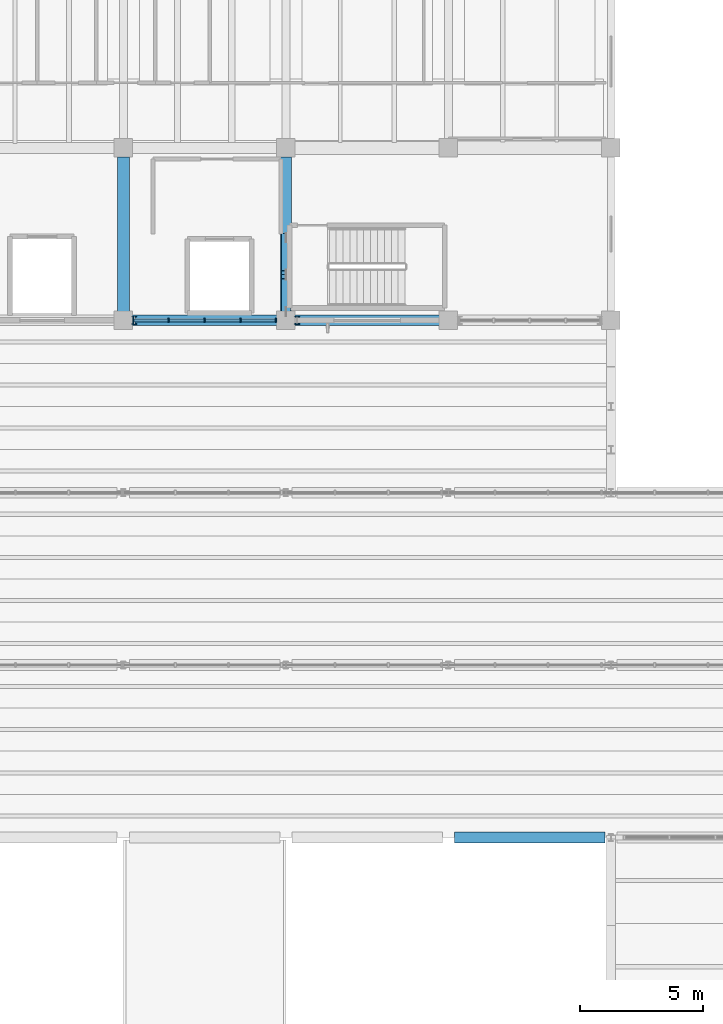
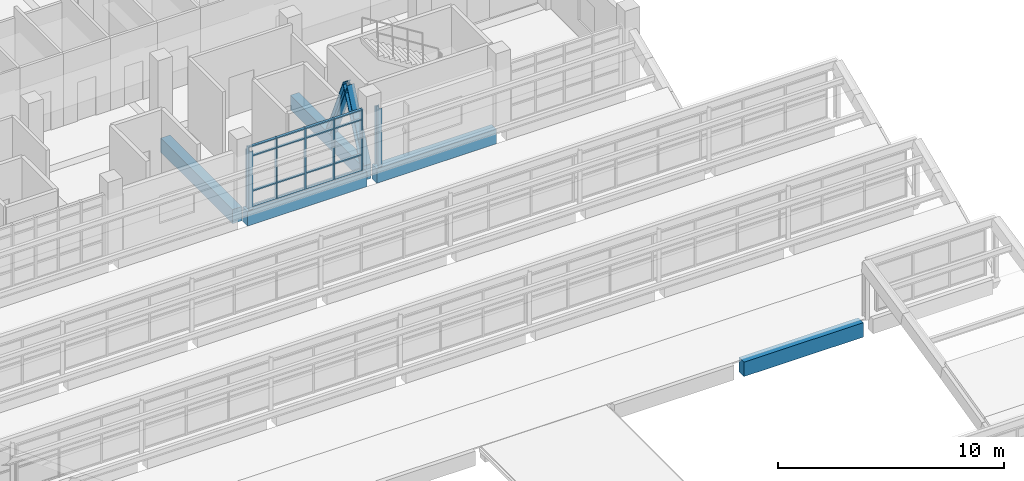
# One storey, part 56 of 92: 25 members, 5 beams, 1 element without a shape of its own.
"""IFC4 building model written with IfcOpenShell, lengths in metres."""

import ifcopenshell
import ifcopenshell.guid

model = None  # the IFC model being written
_history = None  # IfcOwnerHistory: only IFC2X3 demands one
_inside = {}  # id of a spatial element -> (the spatial element, [elements in it])
_under = {}  # id of a project, library or spatial element -> (it, [spatial elements below it])
_declared = {}  # id of a project -> (the project, [libraries it declares])
_typed = {}  # id of a type object -> (the type object, [elements of that type])
_made_of = {}  # id of a material, layer set ... -> (it, [elements and type objects made of it])


def new_model(schema):
    """Start an empty IFC model of exactly this schema.

    Asked for "IFC4X3", IfcOpenShell would pick the latest addendum, in which some entities
    have other attributes; the version numbers below select the first issue.
    IFC2X3 requires an IfcOwnerHistory on every rooted entity: one is made here for all.
    """
    global model, _history
    if schema == "IFC4X3":
        model = ifcopenshell.file(schema_version=(4, 3, 0, 0))
    else:
        model = ifcopenshell.file(schema=schema)
    _inside.clear()
    _under.clear()
    _declared.clear()
    _typed.clear()
    _made_of.clear()
    _history = None
    if model.schema == "IFC2X3":
        org = make("IfcOrganization", Name="unknown")
        user = make(
            "IfcPersonAndOrganization",
            ThePerson=make("IfcPerson", FamilyName="unknown"),
            TheOrganization=org,
        )
        app = make(
            "IfcApplication",
            ApplicationDeveloper=org,
            Version="unknown",
            ApplicationFullName="unknown",
            ApplicationIdentifier="unknown",
        )
        _history = make(
            "IfcOwnerHistory",
            OwningUser=user,
            OwningApplication=app,
            ChangeAction="ADDED",
            CreationDate=0,
        )
    return model


def make(cls, **values):
    """One entity of the class cls with the attributes given. An attribute that is None is left unset."""
    return model.create_entity(
        cls, **{name: value for name, value in values.items() if value is not None}
    )


def rooted(cls, **values):
    """An entity with a GlobalId (a new one), such as an element, a storey or a relation."""
    return make(cls, GlobalId=ifcopenshell.guid.new(), OwnerHistory=_history, **values)


def si_unit(unit_type, name, prefix=None):
    """IfcSIUnit, for example si_unit("LENGTHUNIT", "METRE", prefix="MILLI")."""
    return make("IfcSIUnit", UnitType=unit_type, Prefix=prefix, Name=name)


def assignment(units):
    """IfcUnitAssignment: the units of a project."""
    return None if units is None else make("IfcUnitAssignment", Units=units)


def point(xyz):
    """IfcCartesianPoint."""
    return None if xyz is None else make("IfcCartesianPoint", Coordinates=xyz)


def direction(xyz):
    """IfcDirection."""
    return None if xyz is None else make("IfcDirection", DirectionRatios=xyz)


def frame(location, z_axis=None, x_axis=None):
    """IfcAxis2Placement3D, a coordinate frame: its origin and axes. An axis left out is left unset."""
    return make(
        "IfcAxis2Placement3D",
        Location=point(location),
        Axis=direction(z_axis),
        RefDirection=direction(x_axis),
    )


def frame_2d(location, x_axis=None):
    """IfcAxis2Placement2D, a coordinate frame in the plane: its origin and x axis."""
    return make(
        "IfcAxis2Placement2D", Location=point(location), RefDirection=direction(x_axis)
    )


def origin():
    """The frame at (0, 0, 0) with its axes left unset."""
    return frame((0.0, 0.0, 0.0))


def origin_2d():
    """The frame at (0, 0) in the plane with its x axis left unset."""
    return frame_2d((0.0, 0.0))


def place(relative_to, where):
    """IfcLocalPlacement: puts the frame where relative to a parent placement (None: the world)."""
    return make(
        "IfcLocalPlacement", PlacementRelTo=relative_to, RelativePlacement=where
    )


def context(
    kind, dimensions, precision=None, world=None, true_north=None, identifier=None
):
    """IfcGeometricRepresentationContext, for example the 3D "Model" context."""
    return make(
        "IfcGeometricRepresentationContext",
        ContextIdentifier=identifier,
        ContextType=kind,
        CoordinateSpaceDimension=dimensions,
        Precision=precision,
        WorldCoordinateSystem=world,
        TrueNorth=true_north,
    )


def subcontext(parent, identifier, kind, view, scale=None):
    """IfcGeometricRepresentationSubContext, for example "Body" below "Model"."""
    return make(
        "IfcGeometricRepresentationSubContext",
        ContextIdentifier=identifier,
        ContextType=kind,
        ParentContext=parent,
        TargetScale=scale,
        TargetView=view,
    )


def project(units=None, contexts=None):
    """IfcProject with its units and contexts."""
    return rooted(
        "IfcProject",
        Name="project",
        RepresentationContexts=contexts,
        UnitsInContext=assignment(units),
    )


def spatial(cls, under=None, at=None, **own):
    """A site, building, storey or space (cls), placed at a placement, below another one or the project."""
    s = rooted(cls, ObjectPlacement=at, **own)
    if under is not None:
        _under.setdefault(under.id(), (under, []))[1].append(s)
    return s


def profile(cls, at=None, kind="AREA", **sizes):
    """A parametric profile (cls). Its sizes go by their IFC names, for example OverallWidth=200.0."""
    return make(cls, ProfileType=kind, Position=at, **sizes)


def rectangle(**sizes):
    """IfcRectangleProfileDef."""
    return profile("IfcRectangleProfileDef", **sizes)


def i_section(**sizes):
    """IfcIShapeProfileDef."""
    return profile("IfcIShapeProfileDef", **sizes)


def extrude(swept, where, along, depth):
    """IfcExtrudedAreaSolid: the profile swept, set in the frame where, extruded along a direction by depth."""
    return make(
        "IfcExtrudedAreaSolid",
        SweptArea=swept,
        Position=where,
        ExtrudedDirection=direction(along),
        Depth=depth,
    )


def shape(context_of_items, identifier, shape_type, items):
    """IfcShapeRepresentation: the items that make up one representation, for example the "Body"."""
    return make(
        "IfcShapeRepresentation",
        ContextOfItems=context_of_items,
        RepresentationIdentifier=identifier,
        RepresentationType=shape_type,
        Items=items,
    )


def material(Name=None, Category=None):
    """IfcMaterial."""
    return make("IfcMaterial", Name=Name, Category=Category)


def material_profile(
    of_material, cross_section, Name=None, Category=None, Priority=None
):
    """IfcMaterialProfile: a cross section and its material."""
    return make(
        "IfcMaterialProfile",
        Name=Name,
        Material=of_material,
        Profile=cross_section,
        Priority=Priority,
        Category=Category,
    )


def profile_set(profiles, Name=None, composite=None):
    """IfcMaterialProfileSet."""
    return make(
        "IfcMaterialProfileSet",
        Name=Name,
        MaterialProfiles=profiles,
        CompositeProfile=composite,
    )


def made_of(thing, what):
    """Note that an element or type object is made of a material, layer set ...; save() writes the relation."""
    if what is not None:
        _made_of.setdefault(what.id(), (what, []))[1].append(thing)
    return thing


def type_object(cls, material=None, **own):
    """A type object (cls), such as IfcWallType, which elements share."""
    return made_of(rooted(cls, **own), material)


def element(
    cls,
    number,
    at=None,
    inside=None,
    cuts=None,
    type_object=None,
    material=None,
    context=None,
    identifier="Body",
    shape_type=None,
    held_by="IfcProductDefinitionShape",
    body=None,
    shapes=None,
    **own,
):
    """One element of the class cls, such as IfcWall. Its Tag is "e" and its number.

    at: its placement. inside: the storey or other place that contains it. cuts: it is an
    opening in that element (IfcRelVoidsElement). A single representation is given by context,
    identifier, shape_type and body (its items); several are given by shapes. held_by: the class
    of the entity that holds the representations. save() writes the other relations.
    """
    e = rooted(cls, Tag="e%d" % number, ObjectPlacement=at, **own)
    if body is not None:
        shapes = [shape(context, identifier, shape_type, body)]
    if shapes is not None:
        e.Representation = make(held_by, Representations=shapes)
    if inside is not None:
        _inside.setdefault(inside.id(), (inside, []))[1].append(e)
    if cuts is not None:
        rooted(
            "IfcRelVoidsElement", RelatingBuildingElement=cuts, RelatedOpeningElement=e
        )
    if type_object is not None:
        _typed.setdefault(type_object.id(), (type_object, []))[1].append(e)
    return made_of(e, material)


def aggregate(whole, parts):
    """IfcRelAggregates: a whole, such as a stair, and the parts it consists of."""
    return rooted("IfcRelAggregates", RelatingObject=whole, RelatedObjects=parts)


def save(model, path):
    """Write the relations noted so far, then the file.

    IfcRelAggregates (storeys below a building ...), IfcRelContainedInSpatialStructure (elements
    in a storey), IfcRelDefinesByType, IfcRelAssociatesMaterial and IfcRelDeclares: one each for
    every whole, place, type object, material and project.
    """
    for whole, parts in _under.values():
        aggregate(whole, parts)
    for where, things in _inside.values():
        rooted(
            "IfcRelContainedInSpatialStructure",
            RelatedElements=things,
            RelatingStructure=where,
        )
    for kind, things in _typed.values():
        rooted("IfcRelDefinesByType", RelatedObjects=things, RelatingType=kind)
    for what, things in _made_of.values():
        rooted("IfcRelAssociatesMaterial", RelatedObjects=things, RelatingMaterial=what)
    for by, libraries in _declared.values():
        rooted("IfcRelDeclares", RelatingContext=by, RelatedDefinitions=libraries)
    model.write(path)


model = new_model("IFC4")

# Units and contexts
model_context = context("Model", 3, precision=1e-05, world=origin(), true_north=direction((0.0, 1.0)))
body_context = subcontext(model_context, "Body", "Model", "MODEL_VIEW")
ifc_project = project(units=[si_unit("LENGTHUNIT", "METRE"), si_unit("AREAUNIT", "SQUARE_METRE"), si_unit("VOLUMEUNIT", "CUBIC_METRE"), si_unit("PLANEANGLEUNIT", "RADIAN"), si_unit("MASSUNIT", "GRAM", prefix="KILO")], contexts=[model_context])

# Site, building, storey
site_placement = place(None, origin())
site = spatial("IfcSite", under=ifc_project, at=site_placement, CompositionType="ELEMENT")
building_placement = place(site_placement, origin())
building = spatial("IfcBuilding", under=site, at=building_placement, Name="Ciguamira Faculty of Natural Sciences", CompositionType="ELEMENT")
storey_placement = place(building_placement, frame((0.0, 0.0, 16.800048828125)))
storey = spatial("IfcBuildingStorey", under=building, at=storey_placement, Name="L04", CompositionType="ELEMENT", Elevation=16.800048828125)

# Curtain wall, members
ifc_material_1 = material(Name="Anodized aluminium curtain wall", Category="aluminium")
curtain_wall_type = type_object("IfcCurtainWallType", Name="CurtainWall_CW-04", PredefinedType="USERDEFINED", material=ifc_material_1)
curtain_wall_placement = place(storey_placement, origin())
curtain_wall = element("IfcCurtainWall", 1, at=curtain_wall_placement, inside=storey, type_object=curtain_wall_type, Name="L04 unitised curtain wall 0124", ObjectType="UNITISED CURTAIN WALL", PredefinedType="USERDEFINED")
ifc_material_2 = material(Name="Anodized aluminium mullion", Category="aluminium")
ifc_material_profile_1 = material_profile(ifc_material_2, rectangle(XDim=0.06005859375, YDim=0.159912109375, at=origin_2d()), Name="ALU-MUL-60X160")
ifc_profile_set_1 = profile_set([ifc_material_profile_1], Name="Anodized aluminium mullion")
member_type_1 = type_object("IfcMemberType", Name="CWMullion_CWM-01", PredefinedType="MULLION", material=ifc_profile_set_1)
member_1_placement = place(storey_placement, frame((90.705078125, 94.0, 0.0), z_axis=(0.0, 0.0, 1.0), x_axis=(1.0, 0.0, 0.0)))
member_1 = element("IfcMember", 2, at=member_1_placement, type_object=member_type_1, Name="CW-04 mullion 1", PredefinedType="MULLION", context=body_context, shape_type="SweptSolid", body=[
    extrude(rectangle(XDim=0.06005859375, YDim=0.159912109375, at=origin_2d()), origin(), (0.0, 0.0, 1.0), 3.344970703125),
])
member_2_placement = place(storey_placement, frame((92.137451171875, 94.0, 0.0), z_axis=(0.0, 0.0, 1.0), x_axis=(1.0, 0.0, 0.0)))
member_2 = element("IfcMember", 3, at=member_2_placement, type_object=member_type_1, Name="CW-04 mullion 2", PredefinedType="MULLION", context=body_context, shape_type="SweptSolid", body=[
    extrude(rectangle(XDim=0.06005859375, YDim=0.159912109375, at=origin_2d()), origin(), (0.0, 0.0, 1.0), 3.344970703125),
])
member_3_placement = place(storey_placement, frame((93.60009765625, 94.0, 0.0), z_axis=(0.0, 0.0, 1.0), x_axis=(1.0, 0.0, 0.0)))
member_3 = element("IfcMember", 4, at=member_3_placement, type_object=member_type_1, Name="CW-04 mullion 3", PredefinedType="MULLION", context=body_context, shape_type="SweptSolid", body=[
    extrude(rectangle(XDim=0.06005859375, YDim=0.159912109375, at=origin_2d()), origin(), (0.0, 0.0, 1.0), 3.344970703125),
])
member_4_placement = place(storey_placement, frame((95.0625, 94.0, 0.0), z_axis=(0.0, 0.0, 1.0), x_axis=(1.0, 0.0, 0.0)))
member_4 = element("IfcMember", 5, at=member_4_placement, type_object=member_type_1, Name="CW-04 mullion 4", PredefinedType="MULLION", context=body_context, shape_type="SweptSolid", body=[
    extrude(rectangle(XDim=0.06005859375, YDim=0.159912109375, at=origin_2d()), origin(), (0.0, 0.0, 1.0), 3.344970703125),
])
member_5_placement = place(storey_placement, frame((96.4951171875, 94.0, 0.0), z_axis=(0.0, 0.0, 1.0), x_axis=(1.0, 0.0, 0.0)))
member_5 = element("IfcMember", 6, at=member_5_placement, type_object=member_type_1, Name="CW-04 mullion 5", PredefinedType="MULLION", context=body_context, shape_type="SweptSolid", body=[
    extrude(rectangle(XDim=0.06005859375, YDim=0.159912109375, at=origin_2d()), origin(), (0.0, 0.0, 1.0), 3.344970703125),
])
ifc_material_3 = material(Name="Anodized aluminium transom", Category="aluminium")
ifc_material_profile_2 = material_profile(ifc_material_3, rectangle(XDim=0.06005859375, YDim=0.1201171875, at=origin_2d()), Name="ALU-TRN-60X120")
ifc_profile_set_2 = profile_set([ifc_material_profile_2], Name="Anodized aluminium transom")
member_type_2 = type_object("IfcMemberType", Name="CWTransom_CWT-01", PredefinedType="USERDEFINED", material=ifc_profile_set_2)
member_6_placement = place(storey_placement, frame((90.735107421875, 94.0, 0.030029296875), z_axis=(1.0, 0.0, 0.0), x_axis=(0.0, 0.0, 1.0)))
member_6 = element("IfcMember", 7, at=member_6_placement, type_object=member_type_2, Name="CW-04 transom 1.1", ObjectType="TRANSOM", PredefinedType="USERDEFINED", context=body_context, shape_type="SweptSolid", body=[
    extrude(rectangle(XDim=0.06005859375, YDim=0.1201171875, at=origin_2d()), origin(), (0.0, 0.0, 1.0), 1.372314453125),
])
member_7_placement = place(storey_placement, frame((90.735107421875, 94.0, 0.89990234375), z_axis=(1.0, 0.0, 0.0), x_axis=(0.0, 0.0, 1.0)))
member_7 = element("IfcMember", 8, at=member_7_placement, type_object=member_type_2, Name="CW-04 transom 1.2", ObjectType="TRANSOM", PredefinedType="USERDEFINED", context=body_context, shape_type="SweptSolid", body=[
    extrude(rectangle(XDim=0.06005859375, YDim=0.1201171875, at=origin_2d()), origin(), (0.0, 0.0, 1.0), 1.372314453125),
])
member_8_placement = place(storey_placement, frame((90.735107421875, 94.0, 2.794921875), z_axis=(1.0, 0.0, 0.0), x_axis=(0.0, 0.0, 1.0)))
member_8 = element("IfcMember", 9, at=member_8_placement, type_object=member_type_2, Name="CW-04 transom 1.3", ObjectType="TRANSOM", PredefinedType="USERDEFINED", context=body_context, shape_type="SweptSolid", body=[
    extrude(rectangle(XDim=0.06005859375, YDim=0.1201171875, at=origin_2d()), origin(), (0.0, 0.0, 1.0), 1.372314453125),
])
member_9_placement = place(storey_placement, frame((90.735107421875, 94.0, 3.31494140625), z_axis=(1.0, 0.0, 0.0), x_axis=(0.0, 0.0, 1.0)))
member_9 = element("IfcMember", 10, at=member_9_placement, type_object=member_type_2, Name="CW-04 transom 1.4", ObjectType="TRANSOM", PredefinedType="USERDEFINED", context=body_context, shape_type="SweptSolid", body=[
    extrude(rectangle(XDim=0.06005859375, YDim=0.1201171875, at=origin_2d()), origin(), (0.0, 0.0, 1.0), 1.372314453125),
])
member_10_placement = place(storey_placement, frame((92.16748046875, 94.0, 0.030029296875), z_axis=(1.0, 0.0, 0.0), x_axis=(0.0, 0.0, 1.0)))
member_10 = element("IfcMember", 11, at=member_10_placement, type_object=member_type_2, Name="CW-04 transom 2.1", ObjectType="TRANSOM", PredefinedType="USERDEFINED", context=body_context, shape_type="SweptSolid", body=[
    extrude(rectangle(XDim=0.06005859375, YDim=0.1201171875, at=origin_2d()), origin(), (0.0, 0.0, 1.0), 1.402587890625),
])
member_11_placement = place(storey_placement, frame((92.16748046875, 94.0, 0.89990234375), z_axis=(1.0, 0.0, 0.0), x_axis=(0.0, 0.0, 1.0)))
member_11 = element("IfcMember", 12, at=member_11_placement, type_object=member_type_2, Name="CW-04 transom 2.2", ObjectType="TRANSOM", PredefinedType="USERDEFINED", context=body_context, shape_type="SweptSolid", body=[
    extrude(rectangle(XDim=0.06005859375, YDim=0.1201171875, at=origin_2d()), origin(), (0.0, 0.0, 1.0), 1.402587890625),
])
member_12_placement = place(storey_placement, frame((92.16748046875, 94.0, 2.794921875), z_axis=(1.0, 0.0, 0.0), x_axis=(0.0, 0.0, 1.0)))
member_12 = element("IfcMember", 13, at=member_12_placement, type_object=member_type_2, Name="CW-04 transom 2.3", ObjectType="TRANSOM", PredefinedType="USERDEFINED", context=body_context, shape_type="SweptSolid", body=[
    extrude(rectangle(XDim=0.06005859375, YDim=0.1201171875, at=origin_2d()), origin(), (0.0, 0.0, 1.0), 1.402587890625),
])
member_13_placement = place(storey_placement, frame((92.16748046875, 94.0, 3.31494140625), z_axis=(1.0, 0.0, 0.0), x_axis=(0.0, 0.0, 1.0)))
member_13 = element("IfcMember", 14, at=member_13_placement, type_object=member_type_2, Name="CW-04 transom 2.4", ObjectType="TRANSOM", PredefinedType="USERDEFINED", context=body_context, shape_type="SweptSolid", body=[
    extrude(rectangle(XDim=0.06005859375, YDim=0.1201171875, at=origin_2d()), origin(), (0.0, 0.0, 1.0), 1.402587890625),
])
member_14_placement = place(storey_placement, frame((93.6298828125, 94.0, 0.030029296875), z_axis=(1.0, 0.0, 0.0), x_axis=(0.0, 0.0, 1.0)))
member_14 = element("IfcMember", 15, at=member_14_placement, type_object=member_type_2, Name="CW-04 transom 3.1", ObjectType="TRANSOM", PredefinedType="USERDEFINED", context=body_context, shape_type="SweptSolid", body=[
    extrude(rectangle(XDim=0.06005859375, YDim=0.1201171875, at=origin_2d()), origin(), (0.0, 0.0, 1.0), 1.402587890625),
])
member_15_placement = place(storey_placement, frame((93.6298828125, 94.0, 0.89990234375), z_axis=(1.0, 0.0, 0.0), x_axis=(0.0, 0.0, 1.0)))
member_15 = element("IfcMember", 16, at=member_15_placement, type_object=member_type_2, Name="CW-04 transom 3.2", ObjectType="TRANSOM", PredefinedType="USERDEFINED", context=body_context, shape_type="SweptSolid", body=[
    extrude(rectangle(XDim=0.06005859375, YDim=0.1201171875, at=origin_2d()), origin(), (0.0, 0.0, 1.0), 1.402587890625),
])
member_16_placement = place(storey_placement, frame((93.6298828125, 94.0, 2.794921875), z_axis=(1.0, 0.0, 0.0), x_axis=(0.0, 0.0, 1.0)))
member_16 = element("IfcMember", 17, at=member_16_placement, type_object=member_type_2, Name="CW-04 transom 3.3", ObjectType="TRANSOM", PredefinedType="USERDEFINED", context=body_context, shape_type="SweptSolid", body=[
    extrude(rectangle(XDim=0.06005859375, YDim=0.1201171875, at=origin_2d()), origin(), (0.0, 0.0, 1.0), 1.402587890625),
])
member_17_placement = place(storey_placement, frame((93.6298828125, 94.0, 3.31494140625), z_axis=(1.0, 0.0, 0.0), x_axis=(0.0, 0.0, 1.0)))
member_17 = element("IfcMember", 18, at=member_17_placement, type_object=member_type_2, Name="CW-04 transom 3.4", ObjectType="TRANSOM", PredefinedType="USERDEFINED", context=body_context, shape_type="SweptSolid", body=[
    extrude(rectangle(XDim=0.06005859375, YDim=0.1201171875, at=origin_2d()), origin(), (0.0, 0.0, 1.0), 1.402587890625),
])
member_18_placement = place(storey_placement, frame((95.092529296875, 94.0, 0.030029296875), z_axis=(1.0, 0.0, 0.0), x_axis=(0.0, 0.0, 1.0)))
member_18 = element("IfcMember", 19, at=member_18_placement, type_object=member_type_2, Name="CW-04 transom 4.1", ObjectType="TRANSOM", PredefinedType="USERDEFINED", context=body_context, shape_type="SweptSolid", body=[
    extrude(rectangle(XDim=0.06005859375, YDim=0.1201171875, at=origin_2d()), origin(), (0.0, 0.0, 1.0), 1.37255859375),
])
member_19_placement = place(storey_placement, frame((95.092529296875, 94.0, 0.89990234375), z_axis=(1.0, 0.0, 0.0), x_axis=(0.0, 0.0, 1.0)))
member_19 = element("IfcMember", 20, at=member_19_placement, type_object=member_type_2, Name="CW-04 transom 4.2", ObjectType="TRANSOM", PredefinedType="USERDEFINED", context=body_context, shape_type="SweptSolid", body=[
    extrude(rectangle(XDim=0.06005859375, YDim=0.1201171875, at=origin_2d()), origin(), (0.0, 0.0, 1.0), 1.37255859375),
])
member_20_placement = place(storey_placement, frame((95.092529296875, 94.0, 2.794921875), z_axis=(1.0, 0.0, 0.0), x_axis=(0.0, 0.0, 1.0)))
member_20 = element("IfcMember", 21, at=member_20_placement, type_object=member_type_2, Name="CW-04 transom 4.3", ObjectType="TRANSOM", PredefinedType="USERDEFINED", context=body_context, shape_type="SweptSolid", body=[
    extrude(rectangle(XDim=0.06005859375, YDim=0.1201171875, at=origin_2d()), origin(), (0.0, 0.0, 1.0), 1.37255859375),
])
member_21_placement = place(storey_placement, frame((95.092529296875, 94.0, 3.31494140625), z_axis=(1.0, 0.0, 0.0), x_axis=(0.0, 0.0, 1.0)))
member_21 = element("IfcMember", 22, at=member_21_placement, type_object=member_type_2, Name="CW-04 transom 4.4", ObjectType="TRANSOM", PredefinedType="USERDEFINED", context=body_context, shape_type="SweptSolid", body=[
    extrude(rectangle(XDim=0.06005859375, YDim=0.1201171875, at=origin_2d()), origin(), (0.0, 0.0, 1.0), 1.37255859375),
])
aggregate(curtain_wall, [member_1, member_2, member_3, member_4, member_5, member_6, member_7, member_8, member_9, member_10, member_11, member_12, member_13, member_14, member_15, member_16, member_17, member_18, member_19, member_20, member_21])

# Beams
ifc_material_4 = material(Name="Concrete C40/50", Category="concrete")
ifc_material_profile_3 = material_profile(ifc_material_4, rectangle(XDim=0.43994140625, YDim=0.780029296875, at=origin_2d()), Name="RC-BM-440X780")
ifc_profile_set_3 = profile_set([ifc_material_profile_3], Name="Concrete C40/50")
beam_type_1 = type_object("IfcBeamType", Name="RCBeam_BG-06_RC-BM-440X780", PredefinedType="BEAM", material=ifc_profile_set_3)
beam_1_placement = place(storey_placement, frame((96.89990234375, 94.25, -0.39013671875), z_axis=(0.0, 1.0, 0.0), x_axis=(-1.0, 0.0, 0.0)))
element("IfcBeam", 23, at=beam_1_placement, inside=storey, type_object=beam_type_1, Name="L04 core-end brace tie girder 96", PredefinedType="BEAM", context=body_context, shape_type="SweptSolid", body=[
    extrude(rectangle(XDim=0.43994140625, YDim=0.780029296875, at=origin_2d()), origin(), (0.0, 0.0, 1.0), 6.375),
])
beam_2_placement = place(storey_placement, frame((103.75, 73.0, -0.39013671875), z_axis=(1.0, 0.0, 0.0), x_axis=(0.0, 1.0, 0.0)))
element("IfcBeam", 24, at=beam_2_placement, inside=storey, type_object=beam_type_1, Name="V4 north-light wave 5 RC valley beam VAL-1-8", PredefinedType="BEAM", context=body_context, shape_type="SweptSolid", body=[
    extrude(rectangle(XDim=0.43994140625, YDim=0.780029296875, at=origin_2d()), origin(), (0.0, 0.0, 1.0), 6.10009765625),
])
beam_3_placement = place(storey_placement, frame((90.550048828125, 94.0, -0.39013671875), z_axis=(1.0, 0.0, 0.0), x_axis=(0.0, 1.0, 0.0)))
element("IfcBeam", 25, at=beam_3_placement, inside=storey, type_object=beam_type_1, Name="V4 north-light wave 7 RC valley beam NVL-1-5", PredefinedType="BEAM", context=body_context, shape_type="SweptSolid", body=[
    extrude(rectangle(XDim=0.43994140625, YDim=0.780029296875, at=origin_2d()), origin(), (0.0, 0.0, 1.0), 6.099853515625),
])
beam_4_placement = place(storey_placement, frame((97.14990234375, 94.0, -0.39013671875), z_axis=(1.0, 0.0, 0.0), x_axis=(0.0, 1.0, 0.0)))
element("IfcBeam", 26, at=beam_4_placement, inside=storey, type_object=beam_type_1, Name="V4 north-light wave 7 RC valley beam NVL-1-6", PredefinedType="BEAM", context=body_context, shape_type="SweptSolid", body=[
    extrude(rectangle(XDim=0.43994140625, YDim=0.780029296875, at=origin_2d()), origin(), (0.0, 0.0, 1.0), 6.10009765625),
])
ifc_material_profile_4 = material_profile(ifc_material_4, rectangle(XDim=0.47998046875, YDim=0.760009765625, at=origin_2d()), Name="RC-TB-480X760")
ifc_profile_set_4 = profile_set([ifc_material_profile_4], Name="Concrete C40/50")
beam_type_2 = type_object("IfcBeamType", Name="RCBeam_TB-01_RC-TB-480X760", PredefinedType="T_BEAM", material=ifc_profile_set_4)
beam_5_placement = place(storey_placement, frame((90.300048828125, 94.25, -0.380126953125), z_axis=(0.0, 1.0, 0.0), x_axis=(-1.0, 0.0, 0.0)))
element("IfcBeam", 27, at=beam_5_placement, inside=storey, type_object=beam_type_2, Name="L04 girder NS-1416", PredefinedType="T_BEAM", context=body_context, shape_type="SweptSolid", body=[
    extrude(rectangle(XDim=0.47998046875, YDim=0.760009765625, at=origin_2d()), origin(), (0.0, 0.0, 1.0), 6.375),
])

# Members
ifc_material_5 = material(Name="Steel ASTM A992 Grade 50", Category="steel")
ifc_material_profile_5 = material_profile(ifc_material_5, i_section(OverallWidth=0.373291015625, OverallDepth=0.373291015625, WebThickness=0.016357421875, FlangeThickness=0.026123046875, at=origin_2d()), Name="W14X132")
ifc_profile_set_5 = profile_set([ifc_material_profile_5], Name="Steel ASTM A992 Grade 50")
member_type_3 = type_object("IfcMemberType", Name="SteelMember_BR-03_W14X132", PredefinedType="BRACE", material=ifc_profile_set_5)
for number, where, z_axis, x_axis, name in (
    (28, (96.89990234375, 94.35009765625, 0.0), (0.0, 0.401669190317, 0.915784833653), (-1.0, 0.0, 0.0), "L04 lateral chevron brace 023"),
    (29, (96.89990234375, 97.35009765625, 0.0), (0.0, -0.401669190317, 0.915784833653), (1.0, 0.0, 0.0), "L04 lateral chevron brace 024"),
):
    element("IfcMember", number, at=place(storey_placement, frame(where, z_axis=z_axis, x_axis=x_axis)), inside=storey, type_object=member_type_3, Name=name, PredefinedType="BRACE", context=body_context, shape_type="SweptSolid", body=[
        extrude(i_section(OverallWidth=0.373291015625, OverallDepth=0.373291015625, WebThickness=0.016357421875, FlangeThickness=0.026123046875, at=origin_2d()), origin(), (0.0, 0.0, 1.0), 3.734375),
    ])
ifc_material_profile_6 = material_profile(ifc_material_5, i_section(OverallWidth=0.20458984375, OverallDepth=0.307373046875, WebThickness=0.008544921875, FlangeThickness=0.0146484375, at=origin_2d()), Name="W12X45")
ifc_profile_set_6 = profile_set([ifc_material_profile_6], Name="Steel ASTM A992 Grade 50")
member_type_4 = type_object("IfcMemberType", Name="SteelMember_TS-01_W12X45", PredefinedType="STRUT", material=ifc_profile_set_6)
for number, where, z_axis, x_axis, name in (
    (30, (90.75, 94.0, 0.0), (0.0, 0.0, 1.0), (1.0, 0.0, 0.0), "V4 north-light wave 7 clerestory post 90"),
    (31, (97.35009765625, 94.0, 0.0), (0.0, 0.0, 1.0), (1.0, 0.0, 0.0), "V4 north-light wave 7 clerestory post 97"),
):
    element("IfcMember", number, at=place(storey_placement, frame(where, z_axis=z_axis, x_axis=x_axis)), inside=storey, type_object=member_type_4, Name=name, PredefinedType="STRUT", context=body_context, shape_type="SweptSolid", body=[
        extrude(i_section(OverallWidth=0.20458984375, OverallDepth=0.307373046875, WebThickness=0.008544921875, FlangeThickness=0.0146484375, at=origin_2d()), origin(), (0.0, 0.0, 1.0), 3.14990234375),
    ])

save(model, "model.ifc")
